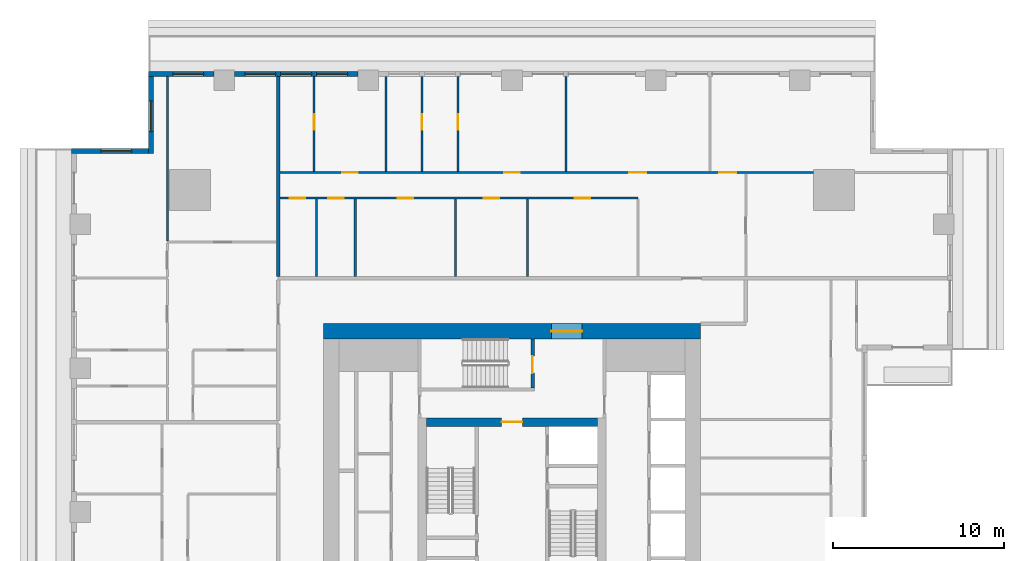
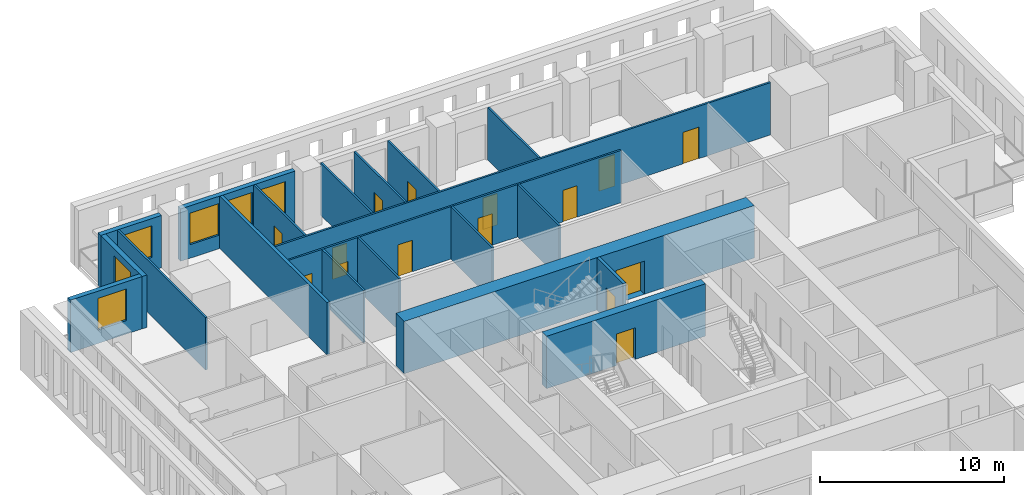
# One storey, part 7 of 15: 20 walls, 15 doors, 6 windows, 21 openings.
"""IFC4 building model written with IfcOpenShell, lengths in metres."""

from ifc_helpers import new_model, si_unit, direction, frame, frame_2d, origin, place, context, subcontext, project, spatial, rectangle, extrude, material, layer, layer_set, type_object, element, fill, save


model = new_model("IFC4")

# Units and contexts
model_context = context("Model", 3, precision=1e-05, world=origin(), true_north=direction((0.0, 1.0)))
body_context = subcontext(model_context, "Body", "Model", "MODEL_VIEW")
ifc_project = project(units=[si_unit("LENGTHUNIT", "METRE"), si_unit("AREAUNIT", "SQUARE_METRE"), si_unit("VOLUMEUNIT", "CUBIC_METRE"), si_unit("PLANEANGLEUNIT", "RADIAN"), si_unit("MASSUNIT", "GRAM", prefix="KILO")], contexts=[model_context])

# Site, building, storey
site_placement = place(None, origin())
site = spatial("IfcSite", under=ifc_project, at=site_placement, CompositionType="ELEMENT")
building_placement = place(site_placement, origin())
building = spatial("IfcBuilding", under=site, at=building_placement, Name="Khepri Terraces", CompositionType="ELEMENT")
storey_placement = place(building_placement, frame((0.0, 0.0, 211.800048828125)))
storey = spatial("IfcBuildingStorey", under=building, at=storey_placement, Name="L50", CompositionType="ELEMENT", Elevation=211.800048828125)

# Wall, opening, door
ifc_material_1 = material(Name="Concrete C50/60", Category="concrete")
ifc_layer_1 = layer(ifc_material_1, 0.199951171875, Name="Concrete C50/60", Category="concrete")
ifc_layer_set_1 = layer_set([ifc_layer_1], Name="Concrete C50/60")
wall_type_1 = type_object("IfcWallType", Name="Core wall 200 C50/60", PredefinedType="SHEAR", material=ifc_layer_set_1)
wall_1_placement = place(storey_placement, frame((1.199951171875, 7.25, 0.0), z_axis=(0.0, 0.0, 1.0), x_axis=(0.0, 1.0, 0.0)))
wall_1 = element("IfcWall", 1, at=wall_1_placement, inside=storey, type_object=wall_type_1, Name="Core wall ST07 L50", PredefinedType="SHEAR", context=body_context, shape_type="SweptSolid", body=[
    extrude(rectangle(XDim=2.85009765625, YDim=0.199951171875, at=frame_2d((1.425048828125, 0.0))), origin(), (0.0, 0.0, 1.0), 3.47998046875),
])
opening_1_placement = place(wall_1_placement, frame((0.85009765625, 0.0, 0.0)))
opening_1 = element("IfcOpeningElement", 2, at=opening_1_placement, cuts=wall_1, Name="Opening L50-C15", PredefinedType="OPENING", context=body_context, shape_type="SweptSolid", body=[
    extrude(rectangle(XDim=1.0, YDim=2.10009765625, at=frame_2d((0.5, 1.050048828125))), frame((0.0, 0.10986328125, 0.0), z_axis=(0.0, -1.0, 0.0), x_axis=(1.0, 0.0, 0.0)), (0.0, 0.0, 1.0), 0.219970703125),
])
ifc_material_2 = material(Name="Painted steel", Category="steel")
door_type_1 = type_object("IfcDoorType", Name="DR-CORE-STAIR-1000", OperationType="NOTDEFINED", PredefinedType="DOOR", material=ifc_material_2)
door_1_placement = place(opening_1_placement, origin())
door_1 = element("IfcDoor", 3, at=door_1_placement, inside=storey, type_object=door_type_1, Name="Stair door L50-C15", OperationType="SINGLE_SWING_LEFT", OverallHeight=2.10009765625, OverallWidth=1.0, PredefinedType="DOOR", context=body_context, shape_type="SweptSolid", body=[
    extrude(rectangle(XDim=1.0, YDim=2.10009765625, at=frame_2d((0.5, 1.050048828125))), frame((0.0, 0.02490234375, 0.0), z_axis=(0.0, -1.0, 0.0), x_axis=(1.0, 0.0, 0.0)), (0.0, 0.0, 1.0), 0.050048828125),
])
fill(opening_1, door_1)

ifc_layer_2 = layer(ifc_material_1, 0.5, Name="Concrete C50/60", Category="concrete")
ifc_layer_set_2 = layer_set([ifc_layer_2], Name="Concrete C50/60")
wall_type_2 = type_object("IfcWallType", Name="Core wall 500 C50/60", PredefinedType="SHEAR", material=ifc_layer_set_2)
wall_2_placement = place(storey_placement, frame((-5.0, 5.25, 0.0), z_axis=(0.0, 0.0, 1.0), x_axis=(1.0, 0.0, 0.0)))
wall_2 = element("IfcWall", 4, at=wall_2_placement, inside=storey, type_object=wall_type_2, Name="Core wall BX04 L50", PredefinedType="SHEAR", context=body_context, shape_type="SweptSolid", body=[
    extrude(rectangle(XDim=10.0, YDim=0.5, at=frame_2d((5.0, 0.0))), origin(), (0.0, 0.0, 1.0), 3.47998046875),
])
opening_2_placement = place(wall_2_placement, frame((4.39990234375, 0.0, 0.0)))
opening_2 = element("IfcOpeningElement", 5, at=opening_2_placement, cuts=wall_2, Name="Opening L50-C13", PredefinedType="OPENING", context=body_context, shape_type="SweptSolid", body=[
    extrude(rectangle(XDim=1.199951171875, YDim=2.10009765625, at=frame_2d((0.60009765625, 1.050048828125))), frame((0.0, 0.260009765625, 0.0), z_axis=(0.0, -1.0, 0.0), x_axis=(1.0, 0.0, 0.0)), (0.0, 0.0, 1.0), 0.52001953125),
])
door_type_2 = type_object("IfcDoorType", Name="DR-CORE-FF-LOBBY-1200", OperationType="NOTDEFINED", PredefinedType="DOOR", material=ifc_material_2)
door_2_placement = place(opening_2_placement, frame((1.199951171875, 0.0, 0.0), z_axis=(0.0, 0.0, 1.0), x_axis=(-1.0, 0.0, 0.0)))
door_2 = element("IfcDoor", 6, at=door_2_placement, inside=storey, type_object=door_type_2, Name="Firefighting lobby door L50-C13", OperationType="SINGLE_SWING_LEFT", OverallHeight=2.10009765625, OverallWidth=1.199951171875, PredefinedType="DOOR", context=body_context, shape_type="SweptSolid", body=[
    extrude(rectangle(XDim=1.199951171875, YDim=2.10009765625, at=frame_2d((0.60009765625, 1.050048828125))), frame((0.0, 0.02490234375, 0.0), z_axis=(0.0, -1.0, 0.0), x_axis=(1.0, 0.0, 0.0)), (0.0, 0.0, 1.0), 0.050048828125),
])
fill(opening_2, door_2)

ifc_layer_3 = layer(ifc_material_1, 0.89990234375, Name="Concrete C50/60", Category="concrete")
ifc_layer_set_3 = layer_set([ifc_layer_3], Name="Concrete C50/60")
wall_type_3 = type_object("IfcWallType", Name="Core wall 900 C50/60", PredefinedType="SHEAR", material=ifc_layer_set_3)
wall_3_placement = place(storey_placement, frame((-11.0, 10.550048828125, 0.0), z_axis=(0.0, 0.0, 1.0), x_axis=(1.0, 0.0, 0.0)))
wall_3 = element("IfcWall", 7, at=wall_3_placement, inside=storey, type_object=wall_type_3, Name="Core wall OW-N L50", PredefinedType="SHEAR", context=body_context, shape_type="SweptSolid", body=[
    extrude(rectangle(XDim=22.0, YDim=0.89990234375, at=frame_2d((11.0, 0.0))), origin(), (0.0, 0.0, 1.0), 3.47998046875),
])
opening_3_placement = place(wall_3_placement, frame((13.300048828125, 0.0, 0.0)))
opening_3 = element("IfcOpeningElement", 8, at=opening_3_placement, cuts=wall_3, Name="Opening L50-C20", PredefinedType="OPENING", context=body_context, shape_type="SweptSolid", body=[
    extrude(rectangle(XDim=1.800048828125, YDim=2.199951171875, at=frame_2d((0.89990234375, 1.10009765625))), frame((0.0, 0.4599609375, 0.0), z_axis=(0.0, -1.0, 0.0), x_axis=(1.0, 0.0, 0.0)), (0.0, 0.0, 1.0), 0.919921875),
])
door_type_3 = type_object("IfcDoorType", Name="DR-CORE-ENTRANCE-1800", OperationType="NOTDEFINED", PredefinedType="DOOR", material=ifc_material_2)
door_3_placement = place(opening_3_placement, origin())
door_3 = element("IfcDoor", 9, at=door_3_placement, inside=storey, type_object=door_type_3, Name="Core entrance door pair L50-C20", OperationType="DOUBLE_DOOR_SINGLE_SWING", OverallHeight=2.199951171875, OverallWidth=1.800048828125, PredefinedType="DOOR", context=body_context, shape_type="SweptSolid", body=[
    extrude(rectangle(XDim=1.800048828125, YDim=2.199951171875, at=frame_2d((0.89990234375, 1.10009765625))), frame((0.0, 0.02490234375, 0.0), z_axis=(0.0, -1.0, 0.0), x_axis=(1.0, 0.0, 0.0)), (0.0, 0.0, 1.0), 0.050048828125),
])
fill(opening_3, door_3)

# Wall
ifc_material_3 = material(Name="Fire-rated gypsum plasterboard partition, mineral wool")
ifc_layer_4 = layer(ifc_material_3, 0.199951171875, Name="Fire-rated gypsum plasterboard partition, mineral wool")
ifc_layer_set_4 = layer_set([ifc_layer_4], Name="Fire-rated gypsum plasterboard partition, mineral wool")
wall_type_4 = type_object("IfcWallType", Name="WL-CORR-200", PredefinedType="PARTITIONING", material=ifc_layer_set_4)
wall_4_placement = place(storey_placement, frame((-13.64990234375, 13.75, 0.0), z_axis=(0.0, 0.0, 1.0), x_axis=(0.0, 1.0, 0.0)))
element("IfcWall", 10, at=wall_4_placement, inside=storey, type_object=wall_type_4, Name="Partition P-072 L50", PredefinedType="PARTITIONING", context=body_context, shape_type="SweptSolid", body=[
    extrude(rectangle(XDim=11.669921875, YDim=0.199951171875, at=frame_2d((5.8349609375, 0.0))), origin(), (0.0, 0.0, 1.0), 3.47998046875),
])

# Wall, openings, windows
ifc_material_4 = material(Name="Precast concrete C50/60 warm stone", Category="masonry")
ifc_layer_5 = layer(ifc_material_4, 0.300048828125, Name="Precast concrete C50/60 warm stone", Category="masonry")
ifc_layer_set_5 = layer_set([ifc_layer_5], Name="Precast concrete C50/60 warm stone")
wall_type_5 = type_object("IfcWallType", Name="WL-EXT-PRECAST-300", PredefinedType="STANDARD", material=ifc_layer_set_5)
wall_5_placement = place(storey_placement, frame((-9.0, 25.570068359375, 0.0), z_axis=(0.0, 0.0, 1.0), x_axis=(-1.0, 0.0, 0.0)))
wall_5 = element("IfcWall", 11, at=wall_5_placement, inside=storey, type_object=wall_type_5, Name="External wall L50 N", PredefinedType="STANDARD", context=body_context, shape_type="SweptSolid", body=[
    extrude(rectangle(XDim=7.199951171875, YDim=0.300048828125, at=frame_2d((3.60009765625, 0.0))), origin(), (0.0, 0.0, 1.0), 3.47998046875),
])
opening_4_placement = place(wall_5_placement, frame((0.60009765625, 0.0, 0.89990234375)))
opening_4 = element("IfcOpeningElement", 12, at=opening_4_placement, cuts=wall_5, Name="Opening W1", PredefinedType="OPENING", context=body_context, shape_type="SweptSolid", body=[
    extrude(rectangle(XDim=1.800048828125, YDim=2.10009765625, at=frame_2d((0.89990234375, 1.050048828125))), frame((0.0, 0.16015625, 0.0), z_axis=(0.0, -1.0, 0.0), x_axis=(1.0, 0.0, 0.0)), (0.0, 0.0, 1.0), 0.320068359375),
])
opening_5_placement = place(wall_5_placement, frame((2.699951171875, 0.0, 0.89990234375)))
opening_5 = element("IfcOpeningElement", 13, at=opening_5_placement, cuts=wall_5, Name="Opening W1", PredefinedType="OPENING", context=body_context, shape_type="SweptSolid", body=[
    extrude(rectangle(XDim=1.800048828125, YDim=2.10009765625, at=frame_2d((0.89990234375, 1.050048828125))), frame((0.0, 0.16015625, 0.0), z_axis=(0.0, -1.0, 0.0), x_axis=(1.0, 0.0, 0.0)), (0.0, 0.0, 1.0), 0.320068359375),
])
opening_6_placement = place(wall_5_placement, frame((4.800048828125, 0.0, 0.89990234375)))
opening_6 = element("IfcOpeningElement", 14, at=opening_6_placement, cuts=wall_5, Name="Opening W1", PredefinedType="OPENING", context=body_context, shape_type="SweptSolid", body=[
    extrude(rectangle(XDim=1.800048828125, YDim=2.10009765625, at=frame_2d((0.89990234375, 1.050048828125))), frame((0.0, 0.16015625, 0.0), z_axis=(0.0, -1.0, 0.0), x_axis=(1.0, 0.0, 0.0)), (0.0, 0.0, 1.0), 0.320068359375),
])
ifc_material_5 = material(Name="Clear glass", Category="glass")
window_type = type_object("IfcWindowType", Name="WIN-RES-1800x2100", PartitioningType="SINGLE_PANEL", PredefinedType="WINDOW", material=ifc_material_5)
window_1_placement = place(opening_4_placement, origin())
window_1 = element("IfcWindow", 15, at=window_1_placement, inside=storey, type_object=window_type, Name="Window L50 N", OverallHeight=2.10009765625, OverallWidth=1.800048828125, PartitioningType="SINGLE_PANEL", PredefinedType="WINDOW", context=body_context, shape_type="SweptSolid", body=[
    extrude(rectangle(XDim=1.800048828125, YDim=2.10009765625, at=frame_2d((0.89990234375, 1.050048828125))), frame((0.0, 0.030029296875, 0.0), z_axis=(0.0, -1.0, 0.0), x_axis=(1.0, 0.0, 0.0)), (0.0, 0.0, 1.0), 0.06005859375),
])
fill(opening_4, window_1)
window_2_placement = place(opening_5_placement, origin())
window_2 = element("IfcWindow", 16, at=window_2_placement, inside=storey, type_object=window_type, Name="Window L50 N", OverallHeight=2.10009765625, OverallWidth=1.800048828125, PartitioningType="SINGLE_PANEL", PredefinedType="WINDOW", context=body_context, shape_type="SweptSolid", body=[
    extrude(rectangle(XDim=1.800048828125, YDim=2.10009765625, at=frame_2d((0.89990234375, 1.050048828125))), frame((0.0, 0.030029296875, 0.0), z_axis=(0.0, -1.0, 0.0), x_axis=(1.0, 0.0, 0.0)), (0.0, 0.0, 1.0), 0.06005859375),
])
fill(opening_5, window_2)
window_3_placement = place(opening_6_placement, origin())
window_3 = element("IfcWindow", 17, at=window_3_placement, inside=storey, type_object=window_type, Name="Window L50 N", OverallHeight=2.10009765625, OverallWidth=1.800048828125, PartitioningType="SINGLE_PANEL", PredefinedType="WINDOW", context=body_context, shape_type="SweptSolid", body=[
    extrude(rectangle(XDim=1.800048828125, YDim=2.10009765625, at=frame_2d((0.89990234375, 1.050048828125))), frame((0.0, 0.030029296875, 0.0), z_axis=(0.0, -1.0, 0.0), x_axis=(1.0, 0.0, 0.0)), (0.0, 0.0, 1.0), 0.06005859375),
])
fill(opening_6, window_3)

# Wall, opening, window
wall_6_placement = place(storey_placement, frame((-17.39990234375, 25.570068359375, 0.0), z_axis=(0.0, 0.0, 1.0), x_axis=(-1.0, 0.0, 0.0)))
wall_6 = element("IfcWall", 18, at=wall_6_placement, inside=storey, type_object=wall_type_5, Name="External wall L50 N", PredefinedType="STANDARD", context=body_context, shape_type="SweptSolid", body=[
    extrude(rectangle(XDim=3.820068359375, YDim=0.300048828125, at=frame_2d((1.91015625, 0.0))), origin(), (0.0, 0.0, 1.0), 3.47998046875),
])
opening_7_placement = place(wall_6_placement, frame((0.60009765625, 0.0, 0.89990234375)))
opening_7 = element("IfcOpeningElement", 19, at=opening_7_placement, cuts=wall_6, Name="Opening W1", PredefinedType="OPENING", context=body_context, shape_type="SweptSolid", body=[
    extrude(rectangle(XDim=1.800048828125, YDim=2.10009765625, at=frame_2d((0.89990234375, 1.050048828125))), frame((0.0, 0.16015625, 0.0), z_axis=(0.0, -1.0, 0.0), x_axis=(1.0, 0.0, 0.0)), (0.0, 0.0, 1.0), 0.320068359375),
])
window_4_placement = place(opening_7_placement, origin())
window_4 = element("IfcWindow", 20, at=window_4_placement, inside=storey, type_object=window_type, Name="Window L50 N", OverallHeight=2.10009765625, OverallWidth=1.800048828125, PartitioningType="SINGLE_PANEL", PredefinedType="WINDOW", context=body_context, shape_type="SweptSolid", body=[
    extrude(rectangle(XDim=1.800048828125, YDim=2.10009765625, at=frame_2d((0.89990234375, 1.050048828125))), frame((0.0, 0.030029296875, 0.0), z_axis=(0.0, -1.0, 0.0), x_axis=(1.0, 0.0, 0.0)), (0.0, 0.0, 1.0), 0.06005859375),
])
fill(opening_7, window_4)

wall_7_placement = place(storey_placement, frame((-21.070068359375, 25.419921875, 0.0), z_axis=(0.0, 0.0, 1.0), x_axis=(0.0, -1.0, 0.0)))
wall_7 = element("IfcWall", 21, at=wall_7_placement, inside=storey, type_object=wall_type_5, Name="External wall L50 W", PredefinedType="STANDARD", context=body_context, shape_type="SweptSolid", body=[
    extrude(rectangle(XDim=4.5, YDim=0.300048828125, at=frame_2d((2.25, 0.0))), origin(), (0.0, 0.0, 1.0), 3.47998046875),
])
opening_8_placement = place(wall_7_placement, frame((1.419921875, 0.0, 0.89990234375)))
opening_8 = element("IfcOpeningElement", 22, at=opening_8_placement, cuts=wall_7, Name="Opening W1", PredefinedType="OPENING", context=body_context, shape_type="SweptSolid", body=[
    extrude(rectangle(XDim=1.800048828125, YDim=2.10009765625, at=frame_2d((0.89990234375, 1.050048828125))), frame((0.0, 0.16015625, 0.0), z_axis=(0.0, -1.0, 0.0), x_axis=(1.0, 0.0, 0.0)), (0.0, 0.0, 1.0), 0.320068359375),
])
window_5_placement = place(opening_8_placement, origin())
window_5 = element("IfcWindow", 23, at=window_5_placement, inside=storey, type_object=window_type, Name="Window L50 W", OverallHeight=2.10009765625, OverallWidth=1.800048828125, PartitioningType="SINGLE_PANEL", PredefinedType="WINDOW", context=body_context, shape_type="SweptSolid", body=[
    extrude(rectangle(XDim=1.800048828125, YDim=2.10009765625, at=frame_2d((0.89990234375, 1.050048828125))), frame((0.0, 0.030029296875, 0.0), z_axis=(0.0, -1.0, 0.0), x_axis=(1.0, 0.0, 0.0)), (0.0, 0.0, 1.0), 0.06005859375),
])
fill(opening_8, window_5)

wall_8_placement = place(storey_placement, frame((-21.219970703125, 21.070068359375, 0.0), z_axis=(0.0, 0.0, 1.0), x_axis=(-1.0, 0.0, 0.0)))
wall_8 = element("IfcWall", 24, at=wall_8_placement, inside=storey, type_object=wall_type_5, Name="External wall L50 N", PredefinedType="STANDARD", context=body_context, shape_type="SweptSolid", body=[
    extrude(rectangle(XDim=4.5, YDim=0.300048828125, at=frame_2d((2.25, 0.0))), origin(), (0.0, 0.0, 1.0), 3.47998046875),
])
opening_9_placement = place(wall_8_placement, frame((0.97998046875, 0.0, 0.89990234375)))
opening_9 = element("IfcOpeningElement", 25, at=opening_9_placement, cuts=wall_8, Name="Opening W1", PredefinedType="OPENING", context=body_context, shape_type="SweptSolid", body=[
    extrude(rectangle(XDim=1.800048828125, YDim=2.10009765625, at=frame_2d((0.89990234375, 1.050048828125))), frame((0.0, 0.16015625, 0.0), z_axis=(0.0, -1.0, 0.0), x_axis=(1.0, 0.0, 0.0)), (0.0, 0.0, 1.0), 0.320068359375),
])
window_6_placement = place(opening_9_placement, origin())
window_6 = element("IfcWindow", 26, at=window_6_placement, inside=storey, type_object=window_type, Name="Window L50 N", OverallHeight=2.10009765625, OverallWidth=1.800048828125, PartitioningType="SINGLE_PANEL", PredefinedType="WINDOW", context=body_context, shape_type="SweptSolid", body=[
    extrude(rectangle(XDim=1.800048828125, YDim=2.10009765625, at=frame_2d((0.89990234375, 1.050048828125))), frame((0.0, 0.030029296875, 0.0), z_axis=(0.0, -1.0, 0.0), x_axis=(1.0, 0.0, 0.0)), (0.0, 0.0, 1.0), 0.06005859375),
])
fill(opening_9, window_6)

# Walls
ifc_material_6 = material(Name="Gypsum plasterboard partition")
ifc_layer_6 = layer(ifc_material_6, 0.1201171875, Name="Gypsum plasterboard partition")
ifc_layer_set_6 = layer_set([ifc_layer_6], Name="Gypsum plasterboard partition")
wall_type_6 = type_object("IfcWallType", Name="WL-PART-120", PredefinedType="PARTITIONING", material=ifc_layer_set_6)
for number, where, z_axis, x_axis, name in (
    (27, (-11.39990234375, 13.75, 0.0), (0.0, 0.0, 1.0), (0.0, 1.0, 0.0), "Partition P-073 L50"),
    (28, (-9.14990234375, 13.75, 0.0), (0.0, 0.0, 1.0), (0.0, 1.0, 0.0), "Partition P-074 L50"),
    (29, (-3.300048828125, 13.75, 0.0), (0.0, 0.0, 1.0), (0.0, 1.0, 0.0), "Partition P-075 L50"),
    (30, (0.89990234375, 13.75, 0.0), (0.0, 0.0, 1.0), (0.0, 1.0, 0.0), "Partition P-076 L50"),
):
    element("IfcWall", number, at=place(storey_placement, frame(where, z_axis=z_axis, x_axis=x_axis)), inside=storey, type_object=wall_type_6, Name=name, PredefinedType="PARTITIONING", context=body_context, shape_type="SweptSolid", body=[
        extrude(rectangle(XDim=4.510009765625, YDim=0.1201171875, at=frame_2d((2.2548828125, 0.0))), origin(), (0.0, 0.0, 1.0), 3.47998046875),
    ])
wall_9_placement = place(storey_placement, frame((-20.1201171875, 15.81005859375, 0.0), z_axis=(0.0, 0.0, 1.0), x_axis=(0.0, 1.0, 0.0)))
element("IfcWall", 31, at=wall_9_placement, inside=storey, type_object=wall_type_6, Name="Partition P-080 L50", PredefinedType="PARTITIONING", context=body_context, shape_type="SweptSolid", body=[
    extrude(rectangle(XDim=9.60986328125, YDim=0.1201171875, at=frame_2d((4.804931640625, 0.0))), origin(), (0.0, 0.0, 1.0), 3.47998046875),
])

# Wall, openings, doors
wall_10_placement = place(storey_placement, frame((-13.550048828125, 18.320068359375, 0.0), z_axis=(0.0, 0.0, 1.0), x_axis=(1.0, 0.0, 0.0)))
wall_10 = element("IfcWall", 32, at=wall_10_placement, inside=storey, type_object=wall_type_6, Name="Partition P-081 L50", PredefinedType="PARTITIONING", context=body_context, shape_type="SweptSolid", body=[
    extrude(rectangle(XDim=20.900146484375, YDim=0.1201171875, at=frame_2d((10.4501953125, 0.0))), origin(), (0.0, 0.0, 1.0), 3.47998046875),
])
opening_10_placement = place(wall_10_placement, frame((17.22509765625, 0.0, 0.0)))
opening_10 = element("IfcOpeningElement", 33, at=opening_10_placement, cuts=wall_10, Name="Opening D3", PredefinedType="OPENING", context=body_context, shape_type="SweptSolid", body=[
    extrude(rectangle(XDim=0.89990234375, YDim=2.10009765625, at=frame_2d((0.449951171875, 1.050048828125))), frame((0.0, 0.070068359375, 0.0), z_axis=(0.0, -1.0, 0.0), x_axis=(1.0, 0.0, 0.0)), (0.0, 0.0, 1.0), 0.14013671875),
])
opening_11_placement = place(wall_10_placement, frame((11.89990234375, 0.0, 0.0)))
opening_11 = element("IfcOpeningElement", 34, at=opening_11_placement, cuts=wall_10, Name="Opening D3", PredefinedType="OPENING", context=body_context, shape_type="SweptSolid", body=[
    extrude(rectangle(XDim=0.89990234375, YDim=2.10009765625, at=frame_2d((0.449951171875, 1.050048828125))), frame((0.0, 0.070068359375, 0.0), z_axis=(0.0, -1.0, 0.0), x_axis=(1.0, 0.0, 0.0)), (0.0, 0.0, 1.0), 0.14013671875),
])
opening_12_placement = place(wall_10_placement, frame((6.875, 0.0, 0.0)))
opening_12 = element("IfcOpeningElement", 35, at=opening_12_placement, cuts=wall_10, Name="Opening D3", PredefinedType="OPENING", context=body_context, shape_type="SweptSolid", body=[
    extrude(rectangle(XDim=0.89990234375, YDim=2.10009765625, at=frame_2d((0.449951171875, 1.050048828125))), frame((0.0, 0.070068359375, 0.0), z_axis=(0.0, -1.0, 0.0), x_axis=(1.0, 0.0, 0.0)), (0.0, 0.0, 1.0), 0.14013671875),
])
opening_13_placement = place(wall_10_placement, frame((2.824951171875, 0.0, 0.0)))
opening_13 = element("IfcOpeningElement", 36, at=opening_13_placement, cuts=wall_10, Name="Opening D4", PredefinedType="OPENING", context=body_context, shape_type="SweptSolid", body=[
    extrude(rectangle(XDim=0.89990234375, YDim=2.10009765625, at=frame_2d((0.449951171875, 1.050048828125))), frame((0.0, 0.070068359375, 0.0), z_axis=(0.0, -1.0, 0.0), x_axis=(1.0, 0.0, 0.0)), (0.0, 0.0, 1.0), 0.14013671875),
])
opening_14_placement = place(wall_10_placement, frame((0.574951171875, 0.0, 0.0)))
opening_14 = element("IfcOpeningElement", 37, at=opening_14_placement, cuts=wall_10, Name="Opening D4", PredefinedType="OPENING", context=body_context, shape_type="SweptSolid", body=[
    extrude(rectangle(XDim=0.89990234375, YDim=2.10009765625, at=frame_2d((0.449951171875, 1.050048828125))), frame((0.0, 0.070068359375, 0.0), z_axis=(0.0, -1.0, 0.0), x_axis=(1.0, 0.0, 0.0)), (0.0, 0.0, 1.0), 0.14013671875),
])
ifc_material_7 = material(Name="Timber door leaf", Category="wood")
door_type_4 = type_object("IfcDoorType", Name="DR-INT-900", OperationType="NOTDEFINED", PredefinedType="DOOR", material=ifc_material_7)
door_4_placement = place(opening_10_placement, frame((0.89990234375, 0.0, 0.0), z_axis=(0.0, 0.0, 1.0), x_axis=(-1.0, 0.0, 0.0)))
door_4 = element("IfcDoor", 38, at=door_4_placement, inside=storey, type_object=door_type_4, Name="Door Kitchen", OperationType="SINGLE_SWING_LEFT", OverallHeight=2.10009765625, OverallWidth=0.89990234375, PredefinedType="DOOR", context=body_context, shape_type="SweptSolid", body=[
    extrude(rectangle(XDim=0.89990234375, YDim=2.10009765625, at=frame_2d((0.449951171875, 1.050048828125))), frame((0.0, 0.02490234375, 0.0), z_axis=(0.0, -1.0, 0.0), x_axis=(1.0, 0.0, 0.0)), (0.0, 0.0, 1.0), 0.050048828125),
])
fill(opening_10, door_4)
door_5_placement = place(opening_11_placement, frame((0.89990234375, 0.0, 0.0), z_axis=(0.0, 0.0, 1.0), x_axis=(-1.0, 0.0, 0.0)))
door_5 = element("IfcDoor", 39, at=door_5_placement, inside=storey, type_object=door_type_4, Name="Door Service Kitchen", OperationType="SINGLE_SWING_LEFT", OverallHeight=2.10009765625, OverallWidth=0.89990234375, PredefinedType="DOOR", context=body_context, shape_type="SweptSolid", body=[
    extrude(rectangle(XDim=0.89990234375, YDim=2.10009765625, at=frame_2d((0.449951171875, 1.050048828125))), frame((0.0, 0.02490234375, 0.0), z_axis=(0.0, -1.0, 0.0), x_axis=(1.0, 0.0, 0.0)), (0.0, 0.0, 1.0), 0.050048828125),
])
fill(opening_11, door_5)
door_6_placement = place(opening_12_placement, frame((0.89990234375, 0.0, 0.0), z_axis=(0.0, 0.0, 1.0), x_axis=(-1.0, 0.0, 0.0)))
door_6 = element("IfcDoor", 40, at=door_6_placement, inside=storey, type_object=door_type_4, Name="Door Staff Bedroom", OperationType="SINGLE_SWING_RIGHT", OverallHeight=2.10009765625, OverallWidth=0.89990234375, PredefinedType="DOOR", context=body_context, shape_type="SweptSolid", body=[
    extrude(rectangle(XDim=0.89990234375, YDim=2.10009765625, at=frame_2d((0.449951171875, 1.050048828125))), frame((0.0, 0.02490234375, 0.0), z_axis=(0.0, -1.0, 0.0), x_axis=(1.0, 0.0, 0.0)), (0.0, 0.0, 1.0), 0.050048828125),
])
fill(opening_12, door_6)
ifc_material_8 = material(Name="Timber door leaf, moisture resistant", Category="wood")
door_type_5 = type_object("IfcDoorType", Name="DR-WET-900", OperationType="NOTDEFINED", PredefinedType="DOOR", material=ifc_material_8)
door_7_placement = place(opening_13_placement, frame((0.89990234375, 0.0, 0.0), z_axis=(0.0, 0.0, 1.0), x_axis=(-1.0, 0.0, 0.0)))
door_7 = element("IfcDoor", 41, at=door_7_placement, inside=storey, type_object=door_type_5, Name="Door Powder Room", OperationType="SINGLE_SWING_RIGHT", OverallHeight=2.10009765625, OverallWidth=0.89990234375, PredefinedType="DOOR", context=body_context, shape_type="SweptSolid", body=[
    extrude(rectangle(XDim=0.89990234375, YDim=2.10009765625, at=frame_2d((0.449951171875, 1.050048828125))), frame((0.0, 0.02490234375, 0.0), z_axis=(0.0, -1.0, 0.0), x_axis=(1.0, 0.0, 0.0)), (0.0, 0.0, 1.0), 0.050048828125),
])
fill(opening_13, door_7)
door_8_placement = place(opening_14_placement, frame((0.89990234375, 0.0, 0.0), z_axis=(0.0, 0.0, 1.0), x_axis=(-1.0, 0.0, 0.0)))
door_8 = element("IfcDoor", 42, at=door_8_placement, inside=storey, type_object=door_type_5, Name="Door Guest Bathroom", OperationType="SINGLE_SWING_RIGHT", OverallHeight=2.10009765625, OverallWidth=0.89990234375, PredefinedType="DOOR", context=body_context, shape_type="SweptSolid", body=[
    extrude(rectangle(XDim=0.89990234375, YDim=2.10009765625, at=frame_2d((0.449951171875, 1.050048828125))), frame((0.0, 0.02490234375, 0.0), z_axis=(0.0, -1.0, 0.0), x_axis=(1.0, 0.0, 0.0)), (0.0, 0.0, 1.0), 0.050048828125),
])
fill(opening_14, door_8)

wall_11_placement = place(storey_placement, frame((-13.550048828125, 19.820068359375, 0.0), z_axis=(0.0, 0.0, 1.0), x_axis=(1.0, 0.0, 0.0)))
wall_11 = element("IfcWall", 43, at=wall_11_placement, inside=storey, type_object=wall_type_6, Name="Partition P-082 L50", PredefinedType="PARTITIONING", context=body_context, shape_type="SweptSolid", body=[
    extrude(rectangle(XDim=31.150146484375, YDim=0.1201171875, at=frame_2d((15.5751953125, 0.0))), origin(), (0.0, 0.0, 1.0), 3.47998046875),
])
opening_15_placement = place(wall_11_placement, frame((25.64990234375, 0.0, 0.0)))
opening_15 = element("IfcOpeningElement", 44, at=opening_15_placement, cuts=wall_11, Name="Opening D2", PredefinedType="OPENING", context=body_context, shape_type="SweptSolid", body=[
    extrude(rectangle(XDim=1.0, YDim=2.10009765625, at=frame_2d((0.5, 1.050048828125))), frame((0.0, 0.070068359375, 0.0), z_axis=(0.0, -1.0, 0.0), x_axis=(1.0, 0.0, 0.0)), (0.0, 0.0, 1.0), 0.14013671875),
])
opening_16_placement = place(wall_11_placement, frame((20.39990234375, 0.0, 0.0)))
opening_16 = element("IfcOpeningElement", 45, at=opening_16_placement, cuts=wall_11, Name="Opening D2", PredefinedType="OPENING", context=body_context, shape_type="SweptSolid", body=[
    extrude(rectangle(XDim=1.0, YDim=2.10009765625, at=frame_2d((0.5, 1.050048828125))), frame((0.0, 0.070068359375, 0.0), z_axis=(0.0, -1.0, 0.0), x_axis=(1.0, 0.0, 0.0)), (0.0, 0.0, 1.0), 0.14013671875),
])
opening_17_placement = place(wall_11_placement, frame((13.10009765625, 0.0, 0.0)))
opening_17 = element("IfcOpeningElement", 46, at=opening_17_placement, cuts=wall_11, Name="Opening D3", PredefinedType="OPENING", context=body_context, shape_type="SweptSolid", body=[
    extrude(rectangle(XDim=0.89990234375, YDim=2.10009765625, at=frame_2d((0.449951171875, 1.050048828125))), frame((0.0, 0.070068359375, 0.0), z_axis=(0.0, -1.0, 0.0), x_axis=(1.0, 0.0, 0.0)), (0.0, 0.0, 1.0), 0.14013671875),
])
opening_18_placement = place(wall_11_placement, frame((3.64990234375, 0.0, 0.0)))
opening_18 = element("IfcOpeningElement", 47, at=opening_18_placement, cuts=wall_11, Name="Opening D3", PredefinedType="OPENING", context=body_context, shape_type="SweptSolid", body=[
    extrude(rectangle(XDim=0.89990234375, YDim=2.10009765625, at=frame_2d((0.449951171875, 1.050048828125))), frame((0.0, 0.070068359375, 0.0), z_axis=(0.0, -1.0, 0.0), x_axis=(1.0, 0.0, 0.0)), (0.0, 0.0, 1.0), 0.14013671875),
])
ifc_material_9 = material(Name="Timber door leaf, living room door", Category="wood")
door_type_6 = type_object("IfcDoorType", Name="DR-INT-1000", OperationType="NOTDEFINED", PredefinedType="DOOR", material=ifc_material_9)
door_9_placement = place(opening_15_placement, origin())
door_9 = element("IfcDoor", 48, at=door_9_placement, inside=storey, type_object=door_type_6, Name="Door Living Room", OperationType="SINGLE_SWING_RIGHT", OverallHeight=2.10009765625, OverallWidth=1.0, PredefinedType="DOOR", context=body_context, shape_type="SweptSolid", body=[
    extrude(rectangle(XDim=1.0, YDim=2.10009765625, at=frame_2d((0.5, 1.050048828125))), frame((0.0, 0.02490234375, 0.0), z_axis=(0.0, -1.0, 0.0), x_axis=(1.0, 0.0, 0.0)), (0.0, 0.0, 1.0), 0.050048828125),
])
fill(opening_15, door_9)
door_10_placement = place(opening_16_placement, origin())
door_10 = element("IfcDoor", 49, at=door_10_placement, inside=storey, type_object=door_type_6, Name="Door Family Room", OperationType="SINGLE_SWING_RIGHT", OverallHeight=2.10009765625, OverallWidth=1.0, PredefinedType="DOOR", context=body_context, shape_type="SweptSolid", body=[
    extrude(rectangle(XDim=1.0, YDim=2.10009765625, at=frame_2d((0.5, 1.050048828125))), frame((0.0, 0.02490234375, 0.0), z_axis=(0.0, -1.0, 0.0), x_axis=(1.0, 0.0, 0.0)), (0.0, 0.0, 1.0), 0.050048828125),
])
fill(opening_16, door_10)
door_11_placement = place(opening_17_placement, origin())
door_11 = element("IfcDoor", 50, at=door_11_placement, inside=storey, type_object=door_type_4, Name="Door Master Bedroom", OperationType="SINGLE_SWING_LEFT", OverallHeight=2.10009765625, OverallWidth=0.89990234375, PredefinedType="DOOR", context=body_context, shape_type="SweptSolid", body=[
    extrude(rectangle(XDim=0.89990234375, YDim=2.10009765625, at=frame_2d((0.449951171875, 1.050048828125))), frame((0.0, 0.02490234375, 0.0), z_axis=(0.0, -1.0, 0.0), x_axis=(1.0, 0.0, 0.0)), (0.0, 0.0, 1.0), 0.050048828125),
])
fill(opening_17, door_11)
door_12_placement = place(opening_18_placement, origin())
door_12 = element("IfcDoor", 51, at=door_12_placement, inside=storey, type_object=door_type_4, Name="Door Bedroom", OperationType="SINGLE_SWING_LEFT", OverallHeight=2.10009765625, OverallWidth=0.89990234375, PredefinedType="DOOR", context=body_context, shape_type="SweptSolid", body=[
    extrude(rectangle(XDim=0.89990234375, YDim=2.10009765625, at=frame_2d((0.449951171875, 1.050048828125))), frame((0.0, 0.02490234375, 0.0), z_axis=(0.0, -1.0, 0.0), x_axis=(1.0, 0.0, 0.0)), (0.0, 0.0, 1.0), 0.050048828125),
])
fill(opening_18, door_12)

# Wall, opening, door
wall_12_placement = place(storey_placement, frame((-11.550048828125, 19.8798828125, 0.0), z_axis=(0.0, 0.0, 1.0), x_axis=(0.0, 1.0, 0.0)))
wall_12 = element("IfcWall", 52, at=wall_12_placement, inside=storey, type_object=wall_type_6, Name="Partition P-084 L50", PredefinedType="PARTITIONING", context=body_context, shape_type="SweptSolid", body=[
    extrude(rectangle(XDim=5.5400390625, YDim=0.1201171875, at=frame_2d((2.77001953125, 0.0))), origin(), (0.0, 0.0, 1.0), 3.47998046875),
])
opening_19_placement = place(wall_12_placement, frame((2.43994140625, 0.0, 0.0)))
opening_19 = element("IfcOpeningElement", 53, at=opening_19_placement, cuts=wall_12, Name="Opening D4", PredefinedType="OPENING", context=body_context, shape_type="SweptSolid", body=[
    extrude(rectangle(XDim=0.89990234375, YDim=2.10009765625, at=frame_2d((0.449951171875, 1.050048828125))), frame((0.0, 0.070068359375, 0.0), z_axis=(0.0, -1.0, 0.0), x_axis=(1.0, 0.0, 0.0)), (0.0, 0.0, 1.0), 0.14013671875),
])
door_13_placement = place(opening_19_placement, origin())
door_13 = element("IfcDoor", 54, at=door_13_placement, inside=storey, type_object=door_type_5, Name="Door Bathroom", OperationType="SINGLE_SWING_RIGHT", OverallHeight=2.10009765625, OverallWidth=0.89990234375, PredefinedType="DOOR", context=body_context, shape_type="SweptSolid", body=[
    extrude(rectangle(XDim=0.89990234375, YDim=2.10009765625, at=frame_2d((0.449951171875, 1.050048828125))), frame((0.0, 0.02490234375, 0.0), z_axis=(0.0, -1.0, 0.0), x_axis=(1.0, 0.0, 0.0)), (0.0, 0.0, 1.0), 0.050048828125),
])
fill(opening_19, door_13)

# Wall
wall_13_placement = place(storey_placement, frame((-7.35009765625, 19.8798828125, 0.0), z_axis=(0.0, 0.0, 1.0), x_axis=(0.0, 1.0, 0.0)))
element("IfcWall", 55, at=wall_13_placement, inside=storey, type_object=wall_type_6, Name="Partition P-085 L50", PredefinedType="PARTITIONING", context=body_context, shape_type="SweptSolid", body=[
    extrude(rectangle(XDim=5.5400390625, YDim=0.1201171875, at=frame_2d((2.77001953125, 0.0))), origin(), (0.0, 0.0, 1.0), 3.47998046875),
])

# Wall, opening, door
wall_14_placement = place(storey_placement, frame((-5.25, 19.8798828125, 0.0), z_axis=(0.0, 0.0, 1.0), x_axis=(0.0, 1.0, 0.0)))
wall_14 = element("IfcWall", 56, at=wall_14_placement, inside=storey, type_object=wall_type_6, Name="Partition P-086 L50", PredefinedType="PARTITIONING", context=body_context, shape_type="SweptSolid", body=[
    extrude(rectangle(XDim=5.5400390625, YDim=0.1201171875, at=frame_2d((2.77001953125, 0.0))), origin(), (0.0, 0.0, 1.0), 3.47998046875),
])
opening_20_placement = place(wall_14_placement, frame((2.43994140625, 0.0, 0.0)))
opening_20 = element("IfcOpeningElement", 57, at=opening_20_placement, cuts=wall_14, Name="Opening D4", PredefinedType="OPENING", context=body_context, shape_type="SweptSolid", body=[
    extrude(rectangle(XDim=0.89990234375, YDim=2.10009765625, at=frame_2d((0.449951171875, 1.050048828125))), frame((0.0, 0.070068359375, 0.0), z_axis=(0.0, -1.0, 0.0), x_axis=(1.0, 0.0, 0.0)), (0.0, 0.0, 1.0), 0.14013671875),
])
door_14_placement = place(opening_20_placement, origin())
door_14 = element("IfcDoor", 58, at=door_14_placement, inside=storey, type_object=door_type_5, Name="Door Bathroom", OperationType="SINGLE_SWING_RIGHT", OverallHeight=2.10009765625, OverallWidth=0.89990234375, PredefinedType="DOOR", context=body_context, shape_type="SweptSolid", body=[
    extrude(rectangle(XDim=0.89990234375, YDim=2.10009765625, at=frame_2d((0.449951171875, 1.050048828125))), frame((0.0, 0.02490234375, 0.0), z_axis=(0.0, -1.0, 0.0), x_axis=(1.0, 0.0, 0.0)), (0.0, 0.0, 1.0), 0.050048828125),
])
fill(opening_20, door_14)

wall_15_placement = place(storey_placement, frame((-3.14990234375, 19.8798828125, 0.0), z_axis=(0.0, 0.0, 1.0), x_axis=(0.0, 1.0, 0.0)))
wall_15 = element("IfcWall", 59, at=wall_15_placement, inside=storey, type_object=wall_type_6, Name="Partition P-087 L50", PredefinedType="PARTITIONING", context=body_context, shape_type="SweptSolid", body=[
    extrude(rectangle(XDim=5.5400390625, YDim=0.1201171875, at=frame_2d((2.77001953125, 0.0))), origin(), (0.0, 0.0, 1.0), 3.47998046875),
])
opening_21_placement = place(wall_15_placement, frame((2.43994140625, 0.0, 0.0)))
opening_21 = element("IfcOpeningElement", 60, at=opening_21_placement, cuts=wall_15, Name="Opening D3", PredefinedType="OPENING", context=body_context, shape_type="SweptSolid", body=[
    extrude(rectangle(XDim=0.89990234375, YDim=2.10009765625, at=frame_2d((0.449951171875, 1.050048828125))), frame((0.0, 0.070068359375, 0.0), z_axis=(0.0, -1.0, 0.0), x_axis=(1.0, 0.0, 0.0)), (0.0, 0.0, 1.0), 0.14013671875),
])
door_15_placement = place(opening_21_placement, origin())
door_15 = element("IfcDoor", 61, at=door_15_placement, inside=storey, type_object=door_type_4, Name="Door Dressing Room", OperationType="SINGLE_SWING_RIGHT", OverallHeight=2.10009765625, OverallWidth=0.89990234375, PredefinedType="DOOR", context=body_context, shape_type="SweptSolid", body=[
    extrude(rectangle(XDim=0.89990234375, YDim=2.10009765625, at=frame_2d((0.449951171875, 1.050048828125))), frame((0.0, 0.02490234375, 0.0), z_axis=(0.0, -1.0, 0.0), x_axis=(1.0, 0.0, 0.0)), (0.0, 0.0, 1.0), 0.050048828125),
])
fill(opening_21, door_15)

# Wall
wall_16_placement = place(storey_placement, frame((3.14990234375, 19.8798828125, 0.0), z_axis=(0.0, 0.0, 1.0), x_axis=(0.0, 1.0, 0.0)))
element("IfcWall", 62, at=wall_16_placement, inside=storey, type_object=wall_type_6, Name="Partition P-088 L50", PredefinedType="PARTITIONING", context=body_context, shape_type="SweptSolid", body=[
    extrude(rectangle(XDim=5.5400390625, YDim=0.1201171875, at=frame_2d((2.77001953125, 0.0))), origin(), (0.0, 0.0, 1.0), 3.47998046875),
])

save(model, "model.ifc")
